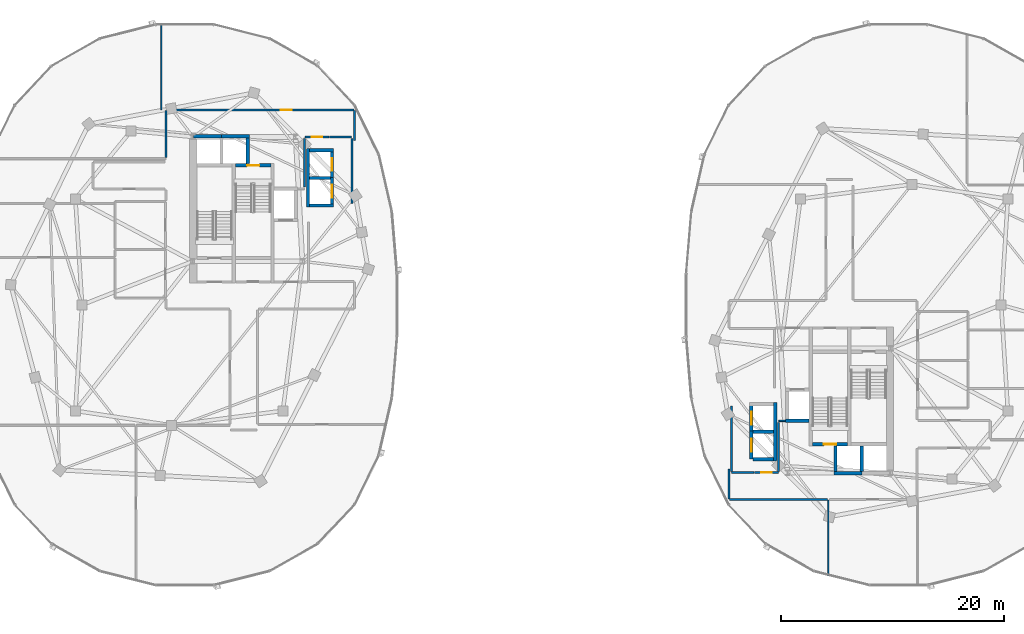
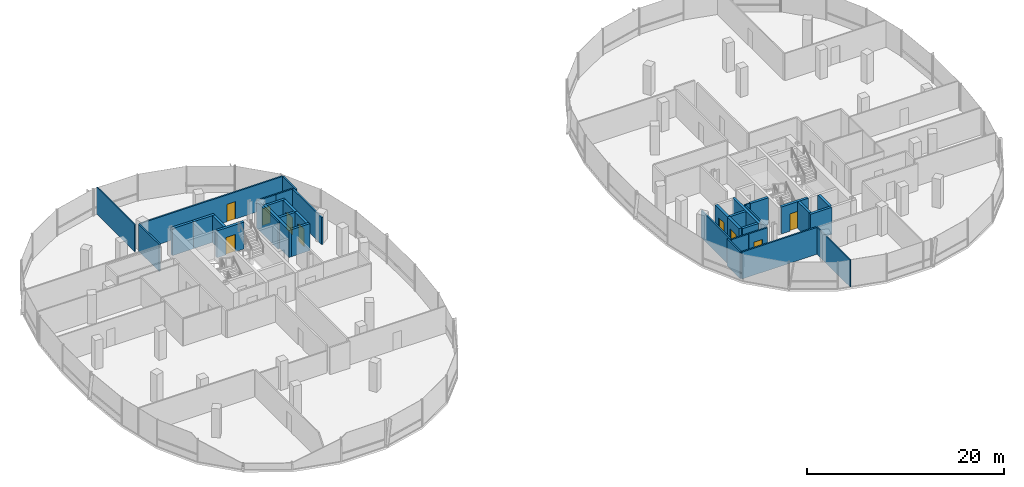
# One storey, part 16 of 25: 36 walls, 9 doors, 9 openings.
"""IFC4 building model written with IfcOpenShell, lengths in metres."""

from ifc_helpers import new_model, si_unit, direction, frame, frame_2d, origin, place, context, subcontext, project, spatial, rectangle, extrude, material, layer, layer_set, type_object, element, fill, save


model = new_model("IFC4")

# Units and contexts
model_context = context("Model", 3, precision=1e-05, world=origin(), true_north=direction((0.0, 1.0)))
body_context = subcontext(model_context, "Body", "Model", "MODEL_VIEW")
ifc_project = project(units=[si_unit("LENGTHUNIT", "METRE"), si_unit("AREAUNIT", "SQUARE_METRE"), si_unit("VOLUMEUNIT", "CUBIC_METRE"), si_unit("PLANEANGLEUNIT", "RADIAN"), si_unit("MASSUNIT", "GRAM", prefix="KILO"), si_unit("THERMODYNAMICTEMPERATUREUNIT", "KELVIN"), si_unit("POWERUNIT", "WATT")], contexts=[model_context])

# Site, building, storey
site_placement = place(None, origin())
site = spatial("IfcSite", under=ifc_project, at=site_placement, CompositionType="ELEMENT")
building_placement = place(site_placement, origin())
building = spatial("IfcBuilding", under=site, at=building_placement, Name="Cundina Bronze Exchange", CompositionType="ELEMENT")
storey_placement = place(building_placement, frame((0.0, 0.0, 217.0)))
storey = spatial("IfcBuildingStorey", under=building, at=storey_placement, Name="L57", CompositionType="ELEMENT", Elevation=217.0)

# Wall
ifc_material_1 = material(Name="Gypsum Fireboard Partition EI120")
ifc_layer_1 = layer(ifc_material_1, 0.179931640625, Name="Gypsum Fireboard Partition EI120")
ifc_layer_set_1 = layer_set([ifc_layer_1], Name="Gypsum Fireboard Partition EI120")
wall_type_1 = type_object("IfcWallType", Name="WL-COR-180", PredefinedType="PARTITIONING", material=ifc_layer_set_1)
wall_1_placement = place(storey_placement, frame((-17.02001953125, 9.070068359375, 0.0), z_axis=(0.0, 0.0, 1.0), x_axis=(0.0, 1.0, 0.0)))
element("IfcWall", 1, at=wall_1_placement, inside=storey, type_object=wall_type_1, Name="L57 Interior Partition 001", PredefinedType="PARTITIONING", context=body_context, shape_type="SweptSolid", body=[
    extrude(rectangle(XDim=5.85986328125, YDim=0.179931640625, at=frame_2d((2.929931640625, 0.0))), origin(), (0.0, 0.0, 1.0), 3.340087890625),
])

# Wall, opening, door
wall_2_placement = place(storey_placement, frame((-21.22998046875, 15.030029296875, 0.0), z_axis=(0.0, 0.0, 1.0), x_axis=(1.0, 0.0, 0.0)))
wall_2 = element("IfcWall", 2, at=wall_2_placement, inside=storey, type_object=wall_type_1, Name="L57 Interior Partition 002", PredefinedType="PARTITIONING", context=body_context, shape_type="SweptSolid", body=[
    extrude(rectangle(XDim=2.159912109375, YDim=0.179931640625, at=frame_2d((1.080078125, 0.0))), origin(), (0.0, 0.0, 1.0), 3.340087890625),
])
opening_1_placement = place(wall_2_placement, frame((0.60498046875, 0.0, 0.0)))
opening_1 = element("IfcOpeningElement", 3, at=opening_1_placement, cuts=wall_2, Name="Opening DW-01", PredefinedType="OPENING", context=body_context, shape_type="SweptSolid", body=[
    extrude(rectangle(XDim=0.949951171875, YDim=2.10009765625, at=frame_2d((0.47509765625, 1.050048828125))), frame((0.0, 0.099853515625, 0.0), z_axis=(0.0, -1.0, 0.0), x_axis=(1.0, 0.0, 0.0)), (0.0, 0.0, 1.0), 0.199951171875),
])
ifc_material_2 = material(Name="Solid Andean Oak Timber Grade A", Category="wood")
door_type_1 = type_object("IfcDoorType", Name="DR-WC-950", OperationType="NOTDEFINED", PredefinedType="DOOR", material=ifc_material_2)
door_1_placement = place(opening_1_placement, origin())
door_1 = element("IfcDoor", 4, at=door_1_placement, inside=storey, type_object=door_type_1, Name="L57 Interior Door 002", OperationType="SINGLE_SWING_RIGHT", OverallHeight=2.10009765625, OverallWidth=0.949951171875, PredefinedType="DOOR", context=body_context, shape_type="SweptSolid", body=[
    extrude(rectangle(XDim=0.949951171875, YDim=2.10009765625, at=frame_2d((0.47509765625, 1.050048828125))), frame((0.0, 0.02490234375, 0.0), z_axis=(0.0, -1.0, 0.0), x_axis=(1.0, 0.0, 0.0)), (0.0, 0.0, 1.0), 0.050048828125),
])
fill(opening_1, door_1)

# Walls
wall_3_placement = place(storey_placement, frame((-19.030029296875, 15.030029296875, 0.0), z_axis=(0.0, 0.0, 1.0), x_axis=(1.0, 0.0, 0.0)))
element("IfcWall", 5, at=wall_3_placement, inside=storey, type_object=wall_type_1, Name="L57 Interior Partition 003", PredefinedType="PARTITIONING", context=body_context, shape_type="SweptSolid", body=[
    extrude(rectangle(XDim=1.989990234375, YDim=0.179931640625, at=frame_2d((0.9951171875, 0.0))), origin(), (0.0, 0.0, 1.0), 3.340087890625),
])
wall_4_placement = place(storey_placement, frame((-21.25, 10.570068359375, 0.0), z_axis=(0.0, 0.0, 1.0), x_axis=(0.0, 1.0, 0.0)))
element("IfcWall", 6, at=wall_4_placement, inside=storey, type_object=wall_type_1, Name="L57 Interior Partition 005", PredefinedType="PARTITIONING", context=body_context, shape_type="SweptSolid", body=[
    extrude(rectangle(XDim=4.35986328125, YDim=0.179931640625, at=frame_2d((2.179931640625, 0.0))), origin(), (0.0, 0.0, 1.0), 3.340087890625),
])

# Wall, opening, door
wall_5_placement = place(storey_placement, frame((-16.821533203125, 17.469970703125, 0.0), z_axis=(0.0, 0.0, 1.0), x_axis=(-1.0, 0.0, 0.0)))
wall_5 = element("IfcWall", 7, at=wall_5_placement, inside=storey, type_object=wall_type_1, Name="L57 Interior Partition 024", PredefinedType="PARTITIONING", context=body_context, shape_type="SweptSolid", body=[
    extrude(rectangle(XDim=16.806884765625, YDim=0.179931640625, at=frame_2d((8.4033203125, 0.0))), origin(), (0.0, 0.0, 1.0), 3.340087890625),
])
opening_2_placement = place(wall_5_placement, frame((5.568603515625, 0.0, 0.0)))
opening_2 = element("IfcOpeningElement", 8, at=opening_2_placement, cuts=wall_5, Name="Opening DO-01", PredefinedType="OPENING", context=body_context, shape_type="SweptSolid", body=[
    extrude(rectangle(XDim=1.0, YDim=2.14990234375, at=frame_2d((0.5, 1.074951171875))), frame((0.0, 0.099853515625, 0.0), z_axis=(0.0, -1.0, 0.0), x_axis=(1.0, 0.0, 0.0)), (0.0, 0.0, 1.0), 0.199951171875),
])
door_type_2 = type_object("IfcDoorType", Name="DR-OFF-1000", OperationType="NOTDEFINED", PredefinedType="DOOR", material=ifc_material_2)
door_2_placement = place(opening_2_placement, origin())
door_2 = element("IfcDoor", 9, at=door_2_placement, inside=storey, type_object=door_type_2, Name="L57 Interior Door 024", OperationType="SINGLE_SWING_RIGHT", OverallHeight=2.14990234375, OverallWidth=1.0, PredefinedType="DOOR", context=body_context, shape_type="SweptSolid", body=[
    extrude(rectangle(XDim=1.0, YDim=2.14990234375, at=frame_2d((0.5, 1.074951171875))), frame((0.0, 0.02490234375, 0.0), z_axis=(0.0, -1.0, 0.0), x_axis=(1.0, 0.0, 0.0)), (0.0, 0.0, 1.0), 0.050048828125),
])
fill(opening_2, door_2)

# Walls
wall_6_placement = place(storey_placement, frame((-33.669921875, 17.428466796875, 0.0), z_axis=(0.0, 0.0, 1.0), x_axis=(0.0, -1.0, 0.0)))
element("IfcWall", 10, at=wall_6_placement, inside=storey, type_object=wall_type_1, Name="L57 Interior Partition 027", PredefinedType="PARTITIONING", context=body_context, shape_type="SweptSolid", body=[
    extrude(rectangle(XDim=4.238525390625, YDim=0.179931640625, at=frame_2d((2.119140625, 0.0))), origin(), (0.0, 0.0, 1.0), 3.340087890625),
])
wall_7_placement = place(storey_placement, frame((-16.780029296875, 14.721435546875, 0.0), z_axis=(0.0, 0.0, 1.0), x_axis=(0.0, 1.0, 0.0)))
element("IfcWall", 11, at=wall_7_placement, inside=storey, type_object=wall_type_1, Name="L57 Interior Partition 029", PredefinedType="PARTITIONING", context=body_context, shape_type="SweptSolid", body=[
    extrude(rectangle(XDim=2.70703125, YDim=0.179931640625, at=frame_2d((1.353515625, 0.0))), origin(), (0.0, 0.0, 1.0), 3.340087890625),
])
wall_8_placement = place(storey_placement, frame((17.02001953125, -14.929931640625, 0.0), z_axis=(0.0, 0.0, 1.0), x_axis=(0.0, 1.0, 0.0)))
element("IfcWall", 12, at=wall_8_placement, inside=storey, type_object=wall_type_1, Name="L57 Interior Partition 038", PredefinedType="PARTITIONING", context=body_context, shape_type="SweptSolid", body=[
    extrude(rectangle(XDim=5.85986328125, YDim=0.179931640625, at=frame_2d((2.929931640625, 0.0))), origin(), (0.0, 0.0, 1.0), 3.340087890625),
])
wall_9_placement = place(storey_placement, frame((17.0400390625, -15.030029296875, 0.0), z_axis=(0.0, 0.0, 1.0), x_axis=(1.0, 0.0, 0.0)))
element("IfcWall", 13, at=wall_9_placement, inside=storey, type_object=wall_type_1, Name="L57 Interior Partition 039", PredefinedType="PARTITIONING", context=body_context, shape_type="SweptSolid", body=[
    extrude(rectangle(XDim=1.989990234375, YDim=0.179931640625, at=frame_2d((0.9951171875, 0.0))), origin(), (0.0, 0.0, 1.0), 3.340087890625),
])

# Wall, opening, door
wall_10_placement = place(storey_placement, frame((21.22998046875, -15.030029296875, 0.0), z_axis=(0.0, 0.0, 1.0), x_axis=(-1.0, 0.0, 0.0)))
wall_10 = element("IfcWall", 14, at=wall_10_placement, inside=storey, type_object=wall_type_1, Name="L57 Interior Partition 040", PredefinedType="PARTITIONING", context=body_context, shape_type="SweptSolid", body=[
    extrude(rectangle(XDim=2.159912109375, YDim=0.179931640625, at=frame_2d((1.080078125, 0.0))), origin(), (0.0, 0.0, 1.0), 3.340087890625),
])
opening_3_placement = place(wall_10_placement, frame((0.60498046875, 0.0, 0.0)))
opening_3 = element("IfcOpeningElement", 15, at=opening_3_placement, cuts=wall_10, Name="Opening DW-01", PredefinedType="OPENING", context=body_context, shape_type="SweptSolid", body=[
    extrude(rectangle(XDim=0.949951171875, YDim=2.10009765625, at=frame_2d((0.47509765625, 1.050048828125))), frame((0.0, 0.099853515625, 0.0), z_axis=(0.0, -1.0, 0.0), x_axis=(1.0, 0.0, 0.0)), (0.0, 0.0, 1.0), 0.199951171875),
])
door_3_placement = place(opening_3_placement, origin())
door_3 = element("IfcDoor", 16, at=door_3_placement, inside=storey, type_object=door_type_1, Name="L57 Interior Door 040", OperationType="SINGLE_SWING_LEFT", OverallHeight=2.10009765625, OverallWidth=0.949951171875, PredefinedType="DOOR", context=body_context, shape_type="SweptSolid", body=[
    extrude(rectangle(XDim=0.949951171875, YDim=2.10009765625, at=frame_2d((0.47509765625, 1.050048828125))), frame((0.0, 0.02490234375, 0.0), z_axis=(0.0, -1.0, 0.0), x_axis=(1.0, 0.0, 0.0)), (0.0, 0.0, 1.0), 0.050048828125),
])
fill(opening_3, door_3)

# Walls
wall_11_placement = place(storey_placement, frame((21.25, -14.929931640625, 0.0), z_axis=(0.0, 0.0, 1.0), x_axis=(0.0, 1.0, 0.0)))
element("IfcWall", 17, at=wall_11_placement, inside=storey, type_object=wall_type_1, Name="L57 Interior Partition 042", PredefinedType="PARTITIONING", context=body_context, shape_type="SweptSolid", body=[
    extrude(rectangle(XDim=4.35986328125, YDim=0.179931640625, at=frame_2d((2.179931640625, 0.0))), origin(), (0.0, 0.0, 1.0), 3.340087890625),
])
wall_12_placement = place(storey_placement, frame((16.821533203125, -17.469970703125, 0.0), z_axis=(0.0, 0.0, 1.0), x_axis=(1.0, 0.0, 0.0)))
element("IfcWall", 18, at=wall_12_placement, inside=storey, type_object=wall_type_1, Name="L57 Interior Partition 065", PredefinedType="PARTITIONING", context=body_context, shape_type="SweptSolid", body=[
    extrude(rectangle(XDim=8.78857421875, YDim=0.179931640625, at=frame_2d((4.394287109375, 0.0))), origin(), (0.0, 0.0, 1.0), 3.340087890625),
])
wall_13_placement = place(storey_placement, frame((16.780029296875, -14.721435546875, 0.0), z_axis=(0.0, 0.0, 1.0), x_axis=(0.0, -1.0, 0.0)))
element("IfcWall", 19, at=wall_13_placement, inside=storey, type_object=wall_type_1, Name="L57 Interior Partition 068", PredefinedType="PARTITIONING", context=body_context, shape_type="SweptSolid", body=[
    extrude(rectangle(XDim=2.70703125, YDim=0.179931640625, at=frame_2d((1.353515625, 0.0))), origin(), (0.0, 0.0, 1.0), 3.340087890625),
])
ifc_material_3 = material(Name="Gypsum Acoustic Partition EI60")
ifc_layer_2 = layer(ifc_material_3, 0.125, Name="Gypsum Acoustic Partition EI60")
ifc_layer_set_2 = layer_set([ifc_layer_2], Name="Gypsum Acoustic Partition EI60")
wall_type_2 = type_object("IfcWallType", Name="WL-OFF-125", PredefinedType="PARTITIONING", material=ifc_layer_set_2)
wall_14_placement = place(storey_placement, frame((-34.10009765625, 17.469970703125, 0.0), z_axis=(0.0, 0.0, 1.0), x_axis=(0.0, 1.0, 0.0)))
element("IfcWall", 20, at=wall_14_placement, inside=storey, type_object=wall_type_2, Name="L57 Interior Partition 019", PredefinedType="PARTITIONING", context=body_context, shape_type="SweptSolid", body=[
    extrude(rectangle(XDim=7.719970703125, YDim=0.125, at=frame_2d((3.85986328125, 0.0))), origin(), (0.0, 0.0, 1.0), 3.340087890625),
])
wall_15_placement = place(storey_placement, frame((25.699951171875, -24.2646484375, 0.0), z_axis=(0.0, 0.0, 1.0), x_axis=(0.0, 1.0, 0.0)))
element("IfcWall", 21, at=wall_15_placement, inside=storey, type_object=wall_type_2, Name="L57 Interior Partition 056", PredefinedType="PARTITIONING", context=body_context, shape_type="SweptSolid", body=[
    extrude(rectangle(XDim=6.7646484375, YDim=0.125, at=frame_2d((3.38232421875, 0.0))), origin(), (0.0, 0.0, 1.0), 3.340087890625),
])

# Wall, opening, door
ifc_material_4 = material(Name="Concrete C50/60", Category="concrete")
ifc_layer_3 = layer(ifc_material_4, 0.300048828125, Name="Concrete C50/60", Category="concrete")
ifc_layer_set_3 = layer_set([ifc_layer_3], Name="Concrete C50/60")
wall_type_3 = type_object("IfcWallType", Name="WL-SHFT-300", PredefinedType="SHEAR", material=ifc_layer_set_3)
wall_16_placement = place(storey_placement, frame((-27.43994140625, 12.5, 0.0), z_axis=(0.0, 0.0, 1.0), x_axis=(1.0, 0.0, 0.0)))
wall_16 = element("IfcWall", 22, at=wall_16_placement, inside=storey, type_object=wall_type_3, Name="L57 Stair W2 Landing Wall", PredefinedType="SHEAR", context=body_context, shape_type="SweptSolid", body=[
    extrude(rectangle(XDim=3.159912109375, YDim=0.300048828125, at=frame_2d((1.580078125, 0.0))), origin(), (0.0, 0.0, 1.0), 3.340087890625),
])
opening_4_placement = place(wall_16_placement, frame((1.030029296875, 0.0, 0.0)))
opening_4 = element("IfcOpeningElement", 23, at=opening_4_placement, cuts=wall_16, Name="Opening DS-01", PredefinedType="OPENING", context=body_context, shape_type="SweptSolid", body=[
    extrude(rectangle(XDim=1.10009765625, YDim=2.14990234375, at=frame_2d((0.550048828125, 1.074951171875))), frame((0.0, 0.159912109375, 0.0), z_axis=(0.0, -1.0, 0.0), x_axis=(1.0, 0.0, 0.0)), (0.0, 0.0, 1.0), 0.320068359375),
])
ifc_material_5 = material(Name="Steel ASTM A36 Painted", Category="steel")
door_type_3 = type_object("IfcDoorType", Name="DR-STR-1100", OperationType="NOTDEFINED", PredefinedType="DOOR", material=ifc_material_5)
door_4_placement = place(opening_4_placement, origin())
door_4 = element("IfcDoor", 24, at=door_4_placement, inside=storey, type_object=door_type_3, Name="L57 Smokeproof Stair W2 Door", OperationType="SINGLE_SWING_LEFT", OverallHeight=2.14990234375, OverallWidth=1.10009765625, PredefinedType="DOOR", context=body_context, shape_type="SweptSolid", body=[
    extrude(rectangle(XDim=1.10009765625, YDim=2.14990234375, at=frame_2d((0.550048828125, 1.074951171875))), frame((0.0, 0.02490234375, 0.0), z_axis=(0.0, -1.0, 0.0), x_axis=(1.0, 0.0, 0.0)), (0.0, 0.0, 1.0), 0.050048828125),
])
fill(opening_4, door_4)

# Walls
for number, where, z_axis, x_axis, name in (
    (25, (-31.199951171875, 15.10009765625, 0.0), (0.0, 0.0, 1.0), (1.0, 0.0, 0.0), "L57 PH-W1 Hoistway Front Wall"),
    (26, (-28.699951171875, 15.10009765625, 0.0), (0.0, 0.0, 1.0), (1.0, 0.0, 0.0), "L57 PH-W2 Hoistway Front Wall"),
):
    element("IfcWall", number, at=place(storey_placement, frame(where, z_axis=z_axis, x_axis=x_axis)), inside=storey, type_object=wall_type_3, Name=name, PredefinedType="SHEAR", context=body_context, shape_type="SweptSolid", body=[
        extrude(rectangle(XDim=2.5, YDim=0.300048828125, at=frame_2d((1.25, 0.0))), origin(), (0.0, 0.0, 1.0), 3.340087890625),
    ])
wall_17_placement = place(storey_placement, frame((-26.35009765625, 12.64990234375, 0.0), z_axis=(0.0, 0.0, 1.0), x_axis=(0.0, 1.0, 0.0)))
element("IfcWall", 27, at=wall_17_placement, inside=storey, type_object=wall_type_3, Name="L57 PH-W2 Hoistway Divider Wall", PredefinedType="SHEAR", context=body_context, shape_type="SweptSolid", body=[
    extrude(rectangle(XDim=2.300048828125, YDim=0.300048828125, at=frame_2d((1.14990234375, 0.0))), origin(), (0.0, 0.0, 1.0), 3.340087890625),
])
wall_18_placement = place(storey_placement, frame((-20.949951171875, 8.75, 0.0), z_axis=(0.0, 0.0, 1.0), x_axis=(0.0, 1.0, 0.0)))
element("IfcWall", 28, at=wall_18_placement, inside=storey, type_object=wall_type_3, Name="L57 W Passenger Bank Hoistway Back Wall", PredefinedType="SHEAR", context=body_context, shape_type="SweptSolid", body=[
    extrude(rectangle(XDim=5.25, YDim=0.300048828125, at=frame_2d((2.625, 0.0))), origin(), (0.0, 0.0, 1.0), 3.340087890625),
])
for number, where, z_axis, x_axis, name in (
    (29, (-20.800048828125, 8.89990234375, 0.0), (0.0, 0.0, 1.0), (1.0, 0.0, 0.0), "L57 W Passenger Bank South Cap Wall"),
    (30, (-20.800048828125, 13.85009765625, 0.0), (0.0, 0.0, 1.0), (1.0, 0.0, 0.0), "L57 W Passenger Bank North Cap Wall"),
):
    element("IfcWall", number, at=place(storey_placement, frame(where, z_axis=z_axis, x_axis=x_axis)), inside=storey, type_object=wall_type_3, Name=name, PredefinedType="SHEAR", context=body_context, shape_type="SweptSolid", body=[
        extrude(rectangle(XDim=2.150146484375, YDim=0.300048828125, at=frame_2d((1.0751953125, 0.0))), origin(), (0.0, 0.0, 1.0), 3.340087890625),
    ])
wall_19_placement = place(storey_placement, frame((-20.800048828125, 11.375, 0.0), z_axis=(0.0, 0.0, 1.0), x_axis=(1.0, 0.0, 0.0)))
element("IfcWall", 31, at=wall_19_placement, inside=storey, type_object=wall_type_3, Name="L57 W Passenger Hoistway Divider 1", PredefinedType="SHEAR", context=body_context, shape_type="SweptSolid", body=[
    extrude(rectangle(XDim=1.85009765625, YDim=0.300048828125, at=frame_2d((0.925048828125, 0.0))), origin(), (0.0, 0.0, 1.0), 3.340087890625),
])

# Wall, opening, door
wall_20_placement = place(storey_placement, frame((-18.800048828125, 8.929931640625, 0.0), z_axis=(0.0, 0.0, 1.0), x_axis=(0.0, 1.0, 0.0)))
wall_20 = element("IfcWall", 32, at=wall_20_placement, inside=storey, type_object=wall_type_3, Name="L57 PM-W2 Hoistway Front Wall", PredefinedType="SHEAR", context=body_context, shape_type="SweptSolid", body=[
    extrude(rectangle(XDim=2.489990234375, YDim=0.300048828125, at=frame_2d((1.2451171875, 0.0))), origin(), (0.0, 0.0, 1.0), 3.340087890625),
])
opening_5_placement = place(wall_20_placement, frame((0.669921875, 0.0, 0.0)))
opening_5 = element("IfcOpeningElement", 33, at=opening_5_placement, cuts=wall_20, Name="Opening LD-01", PredefinedType="OPENING", context=body_context, shape_type="SweptSolid", body=[
    extrude(rectangle(XDim=1.14990234375, YDim=2.199951171875, at=frame_2d((0.574951171875, 1.10009765625))), frame((0.0, 0.159912109375, 0.0), z_axis=(0.0, -1.0, 0.0), x_axis=(1.0, 0.0, 0.0)), (0.0, 0.0, 1.0), 0.320068359375),
])
door_type_4 = type_object("IfcDoorType", Name="DR-LND-1150", OperationType="NOTDEFINED", PredefinedType="TRAPDOOR", material=ifc_material_5)
door_5_placement = place(opening_5_placement, origin())
door_5 = element("IfcDoor", 34, at=door_5_placement, inside=storey, type_object=door_type_4, Name="L57 PM-W2 Sliding Landing Door", OperationType="SLIDING_TO_LEFT", OverallHeight=2.199951171875, OverallWidth=1.14990234375, PredefinedType="TRAPDOOR", context=body_context, shape_type="SweptSolid", body=[
    extrude(rectangle(XDim=1.14990234375, YDim=2.199951171875, at=frame_2d((0.574951171875, 1.10009765625))), frame((0.0, 0.02490234375, 0.0), z_axis=(0.0, -1.0, 0.0), x_axis=(1.0, 0.0, 0.0)), (0.0, 0.0, 1.0), 0.050048828125),
])
fill(opening_5, door_5)

wall_21_placement = place(storey_placement, frame((-18.800048828125, 11.330078125, 0.0), z_axis=(0.0, 0.0, 1.0), x_axis=(0.0, 1.0, 0.0)))
wall_21 = element("IfcWall", 35, at=wall_21_placement, inside=storey, type_object=wall_type_3, Name="L57 PM-W1 Hoistway Front Wall", PredefinedType="SHEAR", context=body_context, shape_type="SweptSolid", body=[
    extrude(rectangle(XDim=2.489990234375, YDim=0.300048828125, at=frame_2d((1.2451171875, 0.0))), origin(), (0.0, 0.0, 1.0), 3.340087890625),
])
opening_6_placement = place(wall_21_placement, frame((0.669921875, 0.0, 0.0)))
opening_6 = element("IfcOpeningElement", 36, at=opening_6_placement, cuts=wall_21, Name="Opening LD-01", PredefinedType="OPENING", context=body_context, shape_type="SweptSolid", body=[
    extrude(rectangle(XDim=1.14990234375, YDim=2.199951171875, at=frame_2d((0.574951171875, 1.10009765625))), frame((0.0, 0.159912109375, 0.0), z_axis=(0.0, -1.0, 0.0), x_axis=(1.0, 0.0, 0.0)), (0.0, 0.0, 1.0), 0.320068359375),
])
door_6_placement = place(opening_6_placement, origin())
door_6 = element("IfcDoor", 37, at=door_6_placement, inside=storey, type_object=door_type_4, Name="L57 PM-W1 Sliding Landing Door", OperationType="SLIDING_TO_LEFT", OverallHeight=2.199951171875, OverallWidth=1.14990234375, PredefinedType="TRAPDOOR", context=body_context, shape_type="SweptSolid", body=[
    extrude(rectangle(XDim=1.14990234375, YDim=2.199951171875, at=frame_2d((0.574951171875, 1.10009765625))), frame((0.0, 0.02490234375, 0.0), z_axis=(0.0, -1.0, 0.0), x_axis=(1.0, 0.0, 0.0)), (0.0, 0.0, 1.0), 0.050048828125),
])
fill(opening_6, door_6)

wall_22_placement = place(storey_placement, frame((24.280029296875, -12.5, 0.0), z_axis=(0.0, 0.0, 1.0), x_axis=(1.0, 0.0, 0.0)))
wall_22 = element("IfcWall", 38, at=wall_22_placement, inside=storey, type_object=wall_type_3, Name="L57 Stair E2 Landing Wall", PredefinedType="SHEAR", context=body_context, shape_type="SweptSolid", body=[
    extrude(rectangle(XDim=3.159912109375, YDim=0.300048828125, at=frame_2d((1.580078125, 0.0))), origin(), (0.0, 0.0, 1.0), 3.340087890625),
])
opening_7_placement = place(wall_22_placement, frame((1.030029296875, 0.0, 0.0)))
opening_7 = element("IfcOpeningElement", 39, at=opening_7_placement, cuts=wall_22, Name="Opening DS-01", PredefinedType="OPENING", context=body_context, shape_type="SweptSolid", body=[
    extrude(rectangle(XDim=1.10009765625, YDim=2.14990234375, at=frame_2d((0.550048828125, 1.074951171875))), frame((0.0, 0.159912109375, 0.0), z_axis=(0.0, -1.0, 0.0), x_axis=(1.0, 0.0, 0.0)), (0.0, 0.0, 1.0), 0.320068359375),
])
door_7_placement = place(opening_7_placement, origin())
door_7 = element("IfcDoor", 40, at=door_7_placement, inside=storey, type_object=door_type_3, Name="L57 Smokeproof Stair E2 Door", OperationType="SINGLE_SWING_RIGHT", OverallHeight=2.14990234375, OverallWidth=1.10009765625, PredefinedType="DOOR", context=body_context, shape_type="SweptSolid", body=[
    extrude(rectangle(XDim=1.10009765625, YDim=2.14990234375, at=frame_2d((0.550048828125, 1.074951171875))), frame((0.0, 0.02490234375, 0.0), z_axis=(0.0, -1.0, 0.0), x_axis=(1.0, 0.0, 0.0)), (0.0, 0.0, 1.0), 0.050048828125),
])
fill(opening_7, door_7)

# Walls
wall_23_placement = place(storey_placement, frame((21.8798828125, -10.39990234375, 0.0), z_axis=(0.0, 0.0, 1.0), x_axis=(1.0, 0.0, 0.0)))
element("IfcWall", 41, at=wall_23_placement, inside=storey, type_object=wall_type_3, Name="L57 FFL-E Hoistway Back Wall", PredefinedType="SHEAR", context=body_context, shape_type="SweptSolid", body=[
    extrude(rectangle(XDim=2.10009765625, YDim=0.300048828125, at=frame_2d((1.050048828125, 0.0))), origin(), (0.0, 0.0, 1.0), 3.340087890625),
])
wall_24_placement = place(storey_placement, frame((28.699951171875, -14.949951171875, 0.0), z_axis=(0.0, 0.0, 1.0), x_axis=(0.0, 1.0, 0.0)))
element("IfcWall", 42, at=wall_24_placement, inside=storey, type_object=wall_type_3, Name="L57 PH-E1 Hoistway Divider Wall", PredefinedType="SHEAR", context=body_context, shape_type="SweptSolid", body=[
    extrude(rectangle(XDim=2.300048828125, YDim=0.300048828125, at=frame_2d((1.14990234375, 0.0))), origin(), (0.0, 0.0, 1.0), 3.340087890625),
])
wall_25_placement = place(storey_placement, frame((26.199951171875, -15.10009765625, 0.0), z_axis=(0.0, 0.0, 1.0), x_axis=(1.0, 0.0, 0.0)))
element("IfcWall", 43, at=wall_25_placement, inside=storey, type_object=wall_type_3, Name="L57 PH-E2 Hoistway Front Wall", PredefinedType="SHEAR", context=body_context, shape_type="SweptSolid", body=[
    extrude(rectangle(XDim=2.5, YDim=0.300048828125, at=frame_2d((1.25, 0.0))), origin(), (0.0, 0.0, 1.0), 3.340087890625),
])
wall_26_placement = place(storey_placement, frame((26.35009765625, -14.949951171875, 0.0), z_axis=(0.0, 0.0, 1.0), x_axis=(0.0, 1.0, 0.0)))
element("IfcWall", 44, at=wall_26_placement, inside=storey, type_object=wall_type_3, Name="L57 PH-E2 Hoistway Divider Wall", PredefinedType="SHEAR", context=body_context, shape_type="SweptSolid", body=[
    extrude(rectangle(XDim=2.300048828125, YDim=0.300048828125, at=frame_2d((1.14990234375, 0.0))), origin(), (0.0, 0.0, 1.0), 3.340087890625),
])
wall_27_placement = place(storey_placement, frame((20.949951171875, -14.0, 0.0), z_axis=(0.0, 0.0, 1.0), x_axis=(0.0, 1.0, 0.0)))
element("IfcWall", 45, at=wall_27_placement, inside=storey, type_object=wall_type_3, Name="L57 E Passenger Bank Hoistway Back Wall", PredefinedType="SHEAR", context=body_context, shape_type="SweptSolid", body=[
    extrude(rectangle(XDim=5.25, YDim=0.300048828125, at=frame_2d((2.625, 0.0))), origin(), (0.0, 0.0, 1.0), 3.340087890625),
])
for number, where, z_axis, x_axis, name in (
    (46, (18.949951171875, -13.85009765625, 0.0), (0.0, 0.0, 1.0), (1.0, 0.0, 0.0), "L57 E Passenger Bank South Cap Wall"),
    (47, (18.949951171875, -11.375, 0.0), (0.0, 0.0, 1.0), (1.0, 0.0, 0.0), "L57 E Passenger Hoistway Divider 1"),
):
    element("IfcWall", number, at=place(storey_placement, frame(where, z_axis=z_axis, x_axis=x_axis)), inside=storey, type_object=wall_type_3, Name=name, PredefinedType="SHEAR", context=body_context, shape_type="SweptSolid", body=[
        extrude(rectangle(XDim=1.85009765625, YDim=0.300048828125, at=frame_2d((0.925048828125, 0.0))), origin(), (0.0, 0.0, 1.0), 3.340087890625),
    ])

# Wall, opening, door
wall_28_placement = place(storey_placement, frame((18.800048828125, -13.820068359375, 0.0), z_axis=(0.0, 0.0, 1.0), x_axis=(0.0, 1.0, 0.0)))
wall_28 = element("IfcWall", 48, at=wall_28_placement, inside=storey, type_object=wall_type_3, Name="L57 PM-E1 Hoistway Front Wall", PredefinedType="SHEAR", context=body_context, shape_type="SweptSolid", body=[
    extrude(rectangle(XDim=2.489990234375, YDim=0.300048828125, at=frame_2d((1.2451171875, 0.0))), origin(), (0.0, 0.0, 1.0), 3.340087890625),
])
opening_8_placement = place(wall_28_placement, frame((0.669921875, 0.0, 0.0)))
opening_8 = element("IfcOpeningElement", 49, at=opening_8_placement, cuts=wall_28, Name="Opening LD-01", PredefinedType="OPENING", context=body_context, shape_type="SweptSolid", body=[
    extrude(rectangle(XDim=1.14990234375, YDim=2.199951171875, at=frame_2d((0.574951171875, 1.10009765625))), frame((0.0, 0.159912109375, 0.0), z_axis=(0.0, -1.0, 0.0), x_axis=(1.0, 0.0, 0.0)), (0.0, 0.0, 1.0), 0.320068359375),
])
door_8_placement = place(opening_8_placement, origin())
door_8 = element("IfcDoor", 50, at=door_8_placement, inside=storey, type_object=door_type_4, Name="L57 PM-E1 Sliding Landing Door", OperationType="SLIDING_TO_LEFT", OverallHeight=2.199951171875, OverallWidth=1.14990234375, PredefinedType="TRAPDOOR", context=body_context, shape_type="SweptSolid", body=[
    extrude(rectangle(XDim=1.14990234375, YDim=2.199951171875, at=frame_2d((0.574951171875, 1.10009765625))), frame((0.0, 0.02490234375, 0.0), z_axis=(0.0, -1.0, 0.0), x_axis=(1.0, 0.0, 0.0)), (0.0, 0.0, 1.0), 0.050048828125),
])
fill(opening_8, door_8)

wall_29_placement = place(storey_placement, frame((18.800048828125, -11.419921875, 0.0), z_axis=(0.0, 0.0, 1.0), x_axis=(0.0, 1.0, 0.0)))
wall_29 = element("IfcWall", 51, at=wall_29_placement, inside=storey, type_object=wall_type_3, Name="L57 PM-E2 Hoistway Front Wall", PredefinedType="SHEAR", context=body_context, shape_type="SweptSolid", body=[
    extrude(rectangle(XDim=2.489990234375, YDim=0.300048828125, at=frame_2d((1.2451171875, 0.0))), origin(), (0.0, 0.0, 1.0), 3.340087890625),
])
opening_9_placement = place(wall_29_placement, frame((0.669921875, 0.0, 0.0)))
opening_9 = element("IfcOpeningElement", 52, at=opening_9_placement, cuts=wall_29, Name="Opening LD-01", PredefinedType="OPENING", context=body_context, shape_type="SweptSolid", body=[
    extrude(rectangle(XDim=1.14990234375, YDim=2.199951171875, at=frame_2d((0.574951171875, 1.10009765625))), frame((0.0, 0.159912109375, 0.0), z_axis=(0.0, -1.0, 0.0), x_axis=(1.0, 0.0, 0.0)), (0.0, 0.0, 1.0), 0.320068359375),
])
door_9_placement = place(opening_9_placement, origin())
door_9 = element("IfcDoor", 53, at=door_9_placement, inside=storey, type_object=door_type_4, Name="L57 PM-E2 Sliding Landing Door", OperationType="SLIDING_TO_LEFT", OverallHeight=2.199951171875, OverallWidth=1.14990234375, PredefinedType="TRAPDOOR", context=body_context, shape_type="SweptSolid", body=[
    extrude(rectangle(XDim=1.14990234375, YDim=2.199951171875, at=frame_2d((0.574951171875, 1.10009765625))), frame((0.0, 0.02490234375, 0.0), z_axis=(0.0, -1.0, 0.0), x_axis=(1.0, 0.0, 0.0)), (0.0, 0.0, 1.0), 0.050048828125),
])
fill(opening_9, door_9)

# Wall
ifc_material_6 = material(Name="Moisture-Resistant Masonry Block Grade M15", Category="masonry")
ifc_layer_4 = layer(ifc_material_6, 0.139892578125, Name="Moisture-Resistant Masonry Block Grade M15", Category="masonry")
ifc_layer_set_4 = layer_set([ifc_layer_4], Name="Moisture-Resistant Masonry Block Grade M15")
wall_type_4 = type_object("IfcWallType", Name="WL-WET-140", PredefinedType="PARTITIONING", material=ifc_layer_set_4)
wall_30_placement = place(storey_placement, frame((21.27001953125, -10.39990234375, 0.0), z_axis=(0.0, 0.0, 1.0), x_axis=(1.0, 0.0, 0.0)))
element("IfcWall", 54, at=wall_30_placement, inside=storey, type_object=wall_type_4, Name="L57 Interior Partition 041", PredefinedType="PARTITIONING", context=body_context, shape_type="SweptSolid", body=[
    extrude(rectangle(XDim=0.590087890625, YDim=0.139892578125, at=frame_2d((0.294921875, 0.0))), origin(), (0.0, 0.0, 1.0), 3.340087890625),
])

save(model, "model.ifc")
